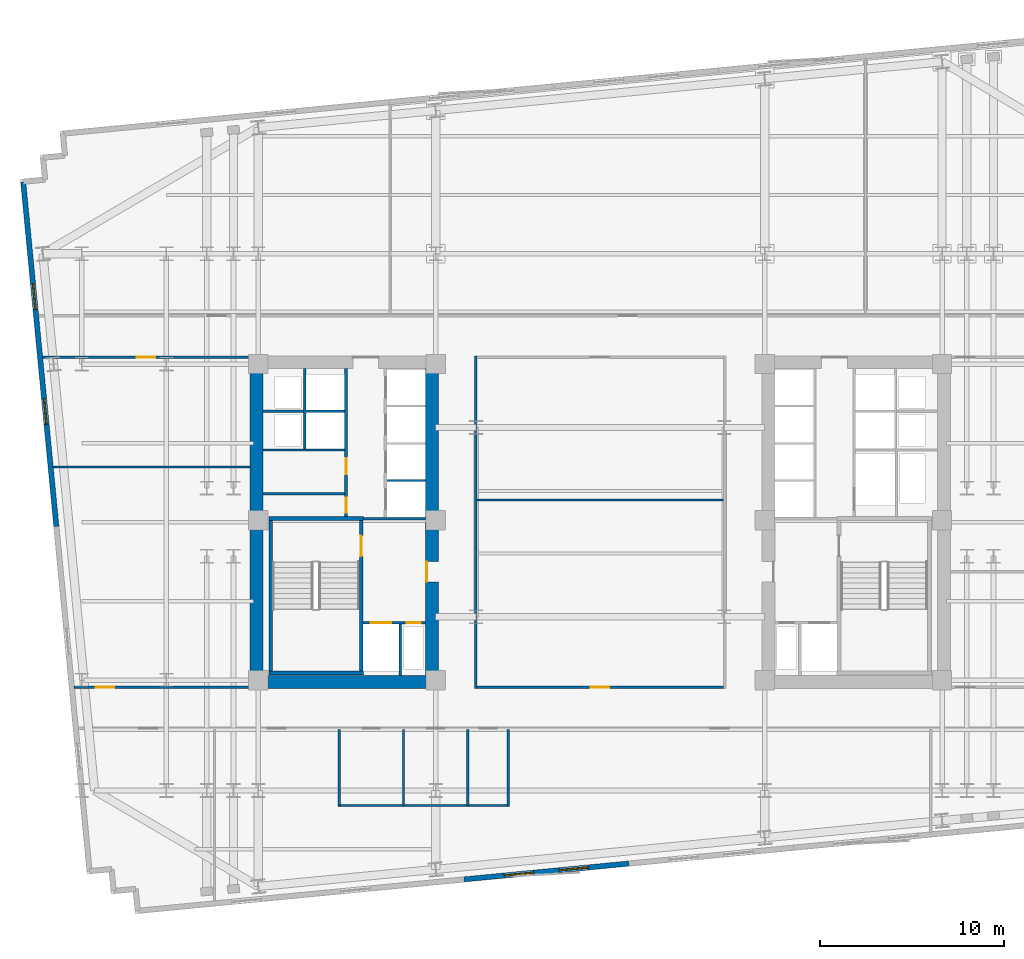
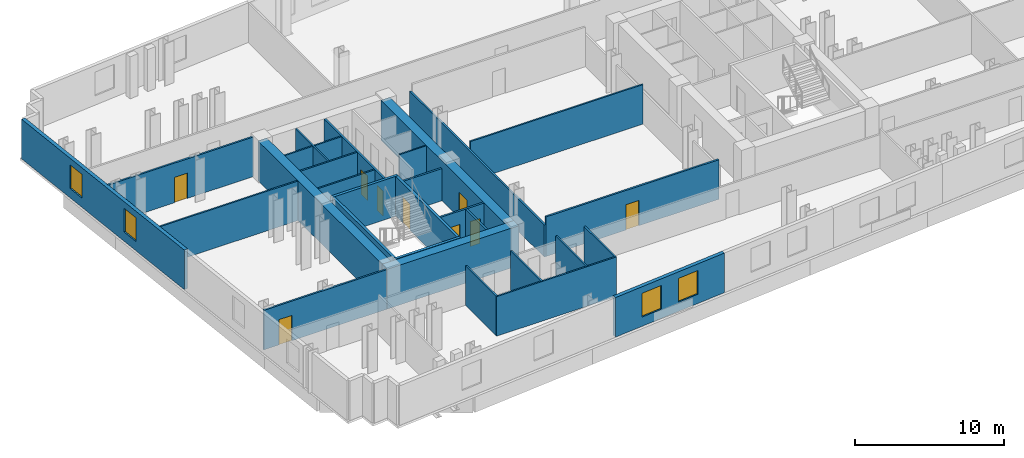
# One storey, part 4 of 10: 30 walls, 9 doors, 4 windows, 13 openings.
"""IFC4 building model written with IfcOpenShell, lengths in metres."""

from ifc_helpers import new_model, si_unit, direction, frame, frame_2d, origin, place, context, subcontext, project, spatial, rectangle, extrude, material, layer, layer_set, type_object, element, fill, save


model = new_model("IFC4")

# Units and contexts
model_context = context("Model", 3, precision=1e-05, world=origin(), true_north=direction((0.0, 1.0)))
body_context = subcontext(model_context, "Body", "Model", "MODEL_VIEW")
ifc_project = project(units=[si_unit("LENGTHUNIT", "METRE"), si_unit("AREAUNIT", "SQUARE_METRE"), si_unit("VOLUMEUNIT", "CUBIC_METRE"), si_unit("PLANEANGLEUNIT", "RADIAN"), si_unit("MASSUNIT", "GRAM", prefix="KILO")], contexts=[model_context])

# Site, building, storey
site_placement = place(None, origin())
site = spatial("IfcSite", under=ifc_project, at=site_placement, CompositionType="ELEMENT")
building_placement = place(site_placement, origin())
building = spatial("IfcBuilding", under=site, at=building_placement, Name="Velakula Bourse", CompositionType="ELEMENT")
storey_placement = place(building_placement, frame((0.0, 0.0, 74.199951171875)))
storey = spatial("IfcBuildingStorey", under=building, at=storey_placement, Name="L19", CompositionType="ELEMENT", Elevation=74.199951171875)

# Wall, opening, door
ifc_material_1 = material(Name="Concrete M50 (fck 50 MPa)", Category="concrete")
ifc_layer_1 = layer(ifc_material_1, 0.2099609375, Name="Concrete M50 (fck 50 MPa)", Category="concrete")
ifc_layer_set_1 = layer_set([ifc_layer_1], Name="Concrete M50 (fck 50 MPa)")
wall_type_1 = type_object("IfcWallType", Name="WL-CORE-210", PredefinedType="SHEAR", material=ifc_layer_set_1)
wall_1_placement = place(storey_placement, frame((-12.9951171875, -8.10009765625, 0.0), z_axis=(0.0, 0.0, 1.0), x_axis=(0.0, 1.0, 0.0)))
wall_1 = element("IfcWall", 1, at=wall_1_placement, inside=storey, type_object=wall_type_1, Name="L19 Core W Stairwell Shear Wall IN", PredefinedType="SHEAR", context=body_context, shape_type="SweptSolid", body=[
    extrude(rectangle(XDim=8.2001953125, YDim=0.2099609375, at=frame_2d((4.10009765625, 0.0))), origin(), (0.0, 0.0, 1.0), 3.27001953125),
])
opening_1_placement = place(wall_1_placement, frame((6.25, 0.0, 0.0)))
opening_1 = element("IfcOpeningElement", 2, at=opening_1_placement, cuts=wall_1, Name="Opening D-STW1", PredefinedType="OPENING", context=body_context, shape_type="SweptSolid", body=[
    extrude(rectangle(XDim=1.10009765625, YDim=2.14990234375, at=frame_2d((0.550048828125, 1.074951171875))), frame((0.0, 0.114990234375, 0.0), z_axis=(0.0, -1.0, 0.0), x_axis=(1.0, 0.0, 0.0)), (0.0, 0.0, 1.0), 0.22998046875),
])
ifc_material_2 = material(Name="Galvanised painted hollow steel fire door", Category="steel")
door_type_1 = type_object("IfcDoorType", Name="DR-FD120-1100x2150", OperationType="NOTDEFINED", PredefinedType="DOOR", material=ifc_material_2)
door_1_placement = place(opening_1_placement, origin())
door_1 = element("IfcDoor", 3, at=door_1_placement, inside=storey, type_object=door_type_1, Name="L19 Stair ST-W1 Fire Door", OperationType="SINGLE_SWING_LEFT", OverallHeight=2.14990234375, OverallWidth=1.10009765625, PredefinedType="DOOR", context=body_context, shape_type="SweptSolid", body=[
    extrude(rectangle(XDim=1.10009765625, YDim=2.14990234375, at=frame_2d((0.550048828125, 1.074951171875))), frame((0.0, 0.02490234375, 0.0), z_axis=(0.0, -1.0, 0.0), x_axis=(1.0, 0.0, 0.0)), (0.0, 0.0, 1.0), 0.050048828125),
])
fill(opening_1, door_1)

# Walls
wall_2_placement = place(storey_placement, frame((-17.925048828125, -8.10009765625, 0.0), z_axis=(0.0, 0.0, 1.0), x_axis=(0.0, 1.0, 0.0)))
element("IfcWall", 4, at=wall_2_placement, inside=storey, type_object=wall_type_1, Name="L19 Core W Stairwell Shear Wall OUT", PredefinedType="SHEAR", context=body_context, shape_type="SweptSolid", body=[
    extrude(rectangle(XDim=8.2001953125, YDim=0.2099609375, at=frame_2d((4.10009765625, 0.0))), origin(), (0.0, 0.0, 1.0), 3.27001953125),
])
for number, where, z_axis, x_axis, name in (
    (5, (-18.030029296875, -8.205078125, 0.0), (0.0, 0.0, 1.0), (1.0, 0.0, 0.0), "L19 Core W Stairwell Shear Wall S"),
    (6, (-12.889892578125, 0.205078125, 0.0), (0.0, 0.0, 1.0), (-1.0, 0.0, 0.0), "L19 Core W Stairwell Shear Wall N"),
):
    element("IfcWall", number, at=place(storey_placement, frame(where, z_axis=z_axis, x_axis=x_axis)), inside=storey, type_object=wall_type_1, Name=name, PredefinedType="SHEAR", context=body_context, shape_type="SweptSolid", body=[
        extrude(rectangle(XDim=5.14013671875, YDim=0.2099609375, at=frame_2d((2.570068359375, 0.0))), origin(), (0.0, 0.0, 1.0), 3.27001953125),
    ])
ifc_material_3 = material(Name="Concrete M70 (fck 70 MPa)", Category="concrete")
ifc_layer_2 = layer(ifc_material_3, 0.699951171875, Name="Concrete M70 (fck 70 MPa)", Category="concrete")
ifc_layer_set_2 = layer_set([ifc_layer_2], Name="Concrete M70 (fck 70 MPa)")
wall_type_2 = type_object("IfcWallType", Name="WL-CORE-700", PredefinedType="SHEAR", material=ifc_layer_set_2)
wall_3_placement = place(storey_placement, frame((-19.050048828125, -8.699951171875, 0.0), z_axis=(0.0, 0.0, 1.0), x_axis=(1.0, 0.0, 0.0)))
element("IfcWall", 7, at=wall_3_placement, inside=storey, type_object=wall_type_2, Name="L19 Core W Shear Wall S", PredefinedType="SHEAR", context=body_context, shape_type="SweptSolid", body=[
    extrude(rectangle(XDim=10.25, YDim=0.699951171875, at=frame_2d((5.125, 0.0))), origin(), (0.0, 0.0, 1.0), 3.27001953125),
])
wall_4_placement = place(storey_placement, frame((-18.699951171875, -8.35009765625, 0.0), z_axis=(0.0, 0.0, 1.0), x_axis=(0.0, 1.0, 0.0)))
element("IfcWall", 8, at=wall_4_placement, inside=storey, type_object=wall_type_2, Name="L19 Core W Shear Wall W", PredefinedType="SHEAR", context=body_context, shape_type="SweptSolid", body=[
    extrude(rectangle(XDim=16.7001953125, YDim=0.699951171875, at=frame_2d((8.35009765625, 0.0))), origin(), (0.0, 0.0, 1.0), 3.27001953125),
])

# Wall, opening, door
wall_5_placement = place(storey_placement, frame((-9.14990234375, -8.35009765625, 0.0), z_axis=(0.0, 0.0, 1.0), x_axis=(0.0, 1.0, 0.0)))
wall_5 = element("IfcWall", 9, at=wall_5_placement, inside=storey, type_object=wall_type_2, Name="L19 Core W Shear Wall E", PredefinedType="SHEAR", context=body_context, shape_type="SweptSolid", body=[
    extrude(rectangle(XDim=16.7001953125, YDim=0.699951171875, at=frame_2d((8.35009765625, 0.0))), origin(), (0.0, 0.0, 1.0), 3.27001953125),
])
opening_2_placement = place(wall_5_placement, frame((5.10009765625, 0.0, 0.0)))
opening_2 = element("IfcOpeningElement", 10, at=opening_2_placement, cuts=wall_5, Name="Opening D-FLW", PredefinedType="OPENING", context=body_context, shape_type="SweptSolid", body=[
    extrude(rectangle(XDim=1.10009765625, YDim=2.080078125, at=frame_2d((0.550048828125, 1.0400390625))), frame((0.0, 0.35986328125, 0.0), z_axis=(0.0, -1.0, 0.0), x_axis=(1.0, 0.0, 0.0)), (0.0, 0.0, 1.0), 0.719970703125),
])
door_type_2 = type_object("IfcDoorType", Name="DR-FD120-1100", OperationType="NOTDEFINED", PredefinedType="DOOR", material=ifc_material_2)
door_2_placement = place(opening_2_placement, origin())
door_2 = element("IfcDoor", 11, at=door_2_placement, inside=storey, type_object=door_type_2, Name="L19 Firefighting Lobby W Corridor Fire Door", OperationType="SINGLE_SWING_LEFT", OverallHeight=2.080078125, OverallWidth=1.10009765625, PredefinedType="DOOR", context=body_context, shape_type="SweptSolid", body=[
    extrude(rectangle(XDim=1.10009765625, YDim=2.080078125, at=frame_2d((0.550048828125, 1.0400390625))), frame((0.0, 0.30517578125, 0.0), z_axis=(0.0, -1.0, 0.0), x_axis=(1.0, 0.0, 0.0)), (0.0, 0.0, 1.0), 0.050048828125),
])
fill(opening_2, door_2)

# Wall, openings, windows
ifc_material_4 = material(Name="Red kilned clay facing brick masonry", Category="masonry")
ifc_layer_3 = layer(ifc_material_4, 0.280029296875, Name="Red kilned clay facing brick masonry", Category="masonry")
ifc_layer_set_3 = layer_set([ifc_layer_3], Name="Red kilned clay facing brick masonry")
wall_type_3 = type_object("IfcWallType", Name="WL-EXT-BRK-280", PredefinedType="STANDARD", material=ifc_layer_set_3)
wall_6_placement = place(storey_placement, frame((1.556396484375, -18.573486328125, 0.0), z_axis=(0.0, 0.0, 1.0), x_axis=(-0.995396794462, -0.09583956164, 0.0)))
wall_6 = element("IfcWall", 12, at=wall_6_placement, inside=storey, type_object=wall_type_3, Name="L19 S Brick Spandrel Wall B2", PredefinedType="STANDARD", context=body_context, shape_type="SweptSolid", body=[
    extrude(rectangle(XDim=9.0, YDim=0.280029296875, at=frame_2d((4.5, 0.0))), origin(), (0.0, 0.0, 1.0), 3.25),
])
opening_3_placement = place(wall_6_placement, frame((2.199951171875, 0.0, 0.760009765625)))
opening_3 = element("IfcOpeningElement", 13, at=opening_3_placement, cuts=wall_6, Name="Opening W-02", PredefinedType="OPENING", context=body_context, shape_type="SweptSolid", body=[
    extrude(rectangle(XDim=1.60009765625, YDim=1.949951171875, at=frame_2d((0.800048828125, 0.97509765625))), frame((0.0, 0.14990234375, 0.0), z_axis=(0.0, -1.0, 0.0), x_axis=(1.0, 0.0, 0.0)), (0.0, 0.0, 1.0), 0.300048828125),
])
opening_4_placement = place(wall_6_placement, frame((5.199951171875, 0.0, 0.760009765625)))
opening_4 = element("IfcOpeningElement", 14, at=opening_4_placement, cuts=wall_6, Name="Opening W-02", PredefinedType="OPENING", context=body_context, shape_type="SweptSolid", body=[
    extrude(rectangle(XDim=1.60009765625, YDim=1.949951171875, at=frame_2d((0.800048828125, 0.97509765625))), frame((0.0, 0.14990234375, 0.0), z_axis=(0.0, -1.0, 0.0), x_axis=(1.0, 0.0, 0.0)), (0.0, 0.0, 1.0), 0.300048828125),
])
ifc_material_5 = material(Name="Double-glazed solar-control Low-E glass", Category="glass")
window_type_1 = type_object("IfcWindowType", Name="WIN-TWR-1600x2100", PartitioningType="SINGLE_PANEL", PredefinedType="WINDOW", material=ifc_material_5)
window_1_placement = place(opening_3_placement, origin())
window_1 = element("IfcWindow", 15, at=window_1_placement, inside=storey, type_object=window_type_1, Name="L19 Deep-Set Recessed Window 1", OverallHeight=1.949951171875, OverallWidth=1.60009765625, PartitioningType="SINGLE_PANEL", PredefinedType="WINDOW", context=body_context, shape_type="SweptSolid", body=[
    extrude(rectangle(XDim=1.60009765625, YDim=1.949951171875, at=frame_2d((0.800048828125, 0.97509765625))), frame((0.0, 0.030029296875, 0.0), z_axis=(0.0, -1.0, 0.0), x_axis=(1.0, 0.0, 0.0)), (0.0, 0.0, 1.0), 0.06005859375),
])
fill(opening_3, window_1)
window_2_placement = place(opening_4_placement, origin())
window_2 = element("IfcWindow", 16, at=window_2_placement, inside=storey, type_object=window_type_1, Name="L19 Deep-Set Recessed Window 2", OverallHeight=1.949951171875, OverallWidth=1.60009765625, PartitioningType="SINGLE_PANEL", PredefinedType="WINDOW", context=body_context, shape_type="SweptSolid", body=[
    extrude(rectangle(XDim=1.60009765625, YDim=1.949951171875, at=frame_2d((0.800048828125, 0.97509765625))), frame((0.0, 0.030029296875, 0.0), z_axis=(0.0, -1.0, 0.0), x_axis=(1.0, 0.0, 0.0)), (0.0, 0.0, 1.0), 0.06005859375),
])
fill(opening_4, window_2)

wall_7_placement = place(storey_placement, frame((-29.584716796875, -0.23388671875, 0.0), z_axis=(0.0, 0.0, 1.0), x_axis=(-0.095841297881, 0.99539662729, 0.0)))
wall_7 = element("IfcWall", 17, at=wall_7_placement, inside=storey, type_object=wall_type_3, Name="L19 W Brick End Wall W2", PredefinedType="STANDARD", context=body_context, shape_type="SweptSolid", body=[
    extrude(rectangle(XDim=18.840087890625, YDim=0.280029296875, at=frame_2d((9.419921875, 0.0))), origin(), (0.0, 0.0, 1.0), 3.25),
])
opening_5_placement = place(wall_7_placement, frame((5.580078125, 0.0, 0.760009765625)))
opening_5 = element("IfcOpeningElement", 18, at=opening_5_placement, cuts=wall_7, Name="Opening W-03", PredefinedType="OPENING", context=body_context, shape_type="SweptSolid", body=[
    extrude(rectangle(XDim=1.39990234375, YDim=1.949951171875, at=frame_2d((0.699951171875, 0.97509765625))), frame((0.0, 0.14990234375, 0.0), z_axis=(0.0, -1.0, 0.0), x_axis=(1.0, 0.0, 0.0)), (0.0, 0.0, 1.0), 0.300048828125),
])
opening_6_placement = place(wall_7_placement, frame((11.860107421875, 0.0, 0.760009765625)))
opening_6 = element("IfcOpeningElement", 19, at=opening_6_placement, cuts=wall_7, Name="Opening W-03", PredefinedType="OPENING", context=body_context, shape_type="SweptSolid", body=[
    extrude(rectangle(XDim=1.39990234375, YDim=1.949951171875, at=frame_2d((0.699951171875, 0.97509765625))), frame((0.0, 0.14990234375, 0.0), z_axis=(0.0, -1.0, 0.0), x_axis=(1.0, 0.0, 0.0)), (0.0, 0.0, 1.0), 0.300048828125),
])
window_type_2 = type_object("IfcWindowType", Name="WIN-TWR-1400x2100", PartitioningType="SINGLE_PANEL", PredefinedType="WINDOW", material=ifc_material_5)
window_3_placement = place(opening_5_placement, origin())
window_3 = element("IfcWindow", 20, at=window_3_placement, inside=storey, type_object=window_type_2, Name="L19 Deep-Set Recessed Window 1", OverallHeight=1.949951171875, OverallWidth=1.39990234375, PartitioningType="SINGLE_PANEL", PredefinedType="WINDOW", context=body_context, shape_type="SweptSolid", body=[
    extrude(rectangle(XDim=1.39990234375, YDim=1.949951171875, at=frame_2d((0.699951171875, 0.97509765625))), frame((0.0, 0.030029296875, 0.0), z_axis=(0.0, -1.0, 0.0), x_axis=(1.0, 0.0, 0.0)), (0.0, 0.0, 1.0), 0.06005859375),
])
fill(opening_5, window_3)
window_4_placement = place(opening_6_placement, origin())
window_4 = element("IfcWindow", 21, at=window_4_placement, inside=storey, type_object=window_type_2, Name="L19 Deep-Set Recessed Window 2", OverallHeight=1.949951171875, OverallWidth=1.39990234375, PartitioningType="SINGLE_PANEL", PredefinedType="WINDOW", context=body_context, shape_type="SweptSolid", body=[
    extrude(rectangle(XDim=1.39990234375, YDim=1.949951171875, at=frame_2d((0.699951171875, 0.97509765625))), frame((0.0, 0.030029296875, 0.0), z_axis=(0.0, -1.0, 0.0), x_axis=(1.0, 0.0, 0.0)), (0.0, 0.0, 1.0), 0.06005859375),
])
fill(opening_6, window_4)

# Walls
ifc_material_6 = material(Name="Fire-rated double-layer gypsum drywall partition", Category="gypsum")
ifc_layer_4 = layer(ifc_material_6, 0.1201171875, Name="Fire-rated double-layer gypsum drywall partition", Category="gypsum")
ifc_layer_set_4 = layer_set([ifc_layer_4], Name="Fire-rated double-layer gypsum drywall partition")
wall_type_4 = type_object("IfcWallType", Name="WL-PART-120", PredefinedType="STANDARD", material=ifc_layer_set_4)
wall_8_placement = place(storey_placement, frame((-11.60009765625, 2.2548828125, 0.0), z_axis=(0.0, 0.0, 1.0), x_axis=(1.0, 0.0, 0.0)))
element("IfcWall", 22, at=wall_8_placement, inside=storey, type_object=wall_type_4, Name="L19 Interior Partition WL-CRW-L19-BDIV-0", PredefinedType="STANDARD", context=body_context, shape_type="SweptSolid", body=[
    extrude(rectangle(XDim=2.10009765625, YDim=0.110107421875, at=frame_2d((1.050048828125, 0.0))), origin(), (0.0, 0.0, 1.0), 3.25),
])
wall_9_placement = place(storey_placement, frame((-18.35009765625, 3.919921875, 0.0), z_axis=(0.0, 0.0, 1.0), x_axis=(1.0, 0.0, 0.0)))
element("IfcWall", 23, at=wall_9_placement, inside=storey, type_object=wall_type_4, Name="L19 Interior Partition WL-CRW-L19-HI-S", PredefinedType="STANDARD", context=body_context, shape_type="SweptSolid", body=[
    extrude(rectangle(XDim=4.4501953125, YDim=0.1201171875, at=frame_2d((2.22509765625, 0.0))), origin(), (0.0, 0.0, 1.0), 3.25),
])
wall_10_placement = place(storey_placement, frame((-18.35009765625, 6.030029296875, 0.0), z_axis=(0.0, 0.0, 1.0), x_axis=(1.0, 0.0, 0.0)))
element("IfcWall", 24, at=wall_10_placement, inside=storey, type_object=wall_type_4, Name="L19 Interior Partition WL-CRW-L19-RIS-MID", PredefinedType="STANDARD", context=body_context, shape_type="SweptSolid", body=[
    extrude(rectangle(XDim=2.2001953125, YDim=0.1201171875, at=frame_2d((1.10009765625, 0.0))), origin(), (0.0, 0.0, 1.0), 3.25),
])
wall_11_placement = place(storey_placement, frame((-16.074951171875, 3.97998046875, 0.0), z_axis=(0.0, 0.0, 1.0), x_axis=(0.0, 1.0, 0.0)))
element("IfcWall", 25, at=wall_11_placement, inside=storey, type_object=wall_type_4, Name="L19 Interior Partition WL-CRW-L19-RIS-F", PredefinedType="STANDARD", context=body_context, shape_type="SweptSolid", body=[
    extrude(rectangle(XDim=4.3701171875, YDim=0.1201171875, at=frame_2d((2.18505859375, 0.0))), origin(), (0.0, 0.0, 1.0), 3.25),
])
wall_12_placement = place(storey_placement, frame((-16.0, 6.030029296875, 0.0), z_axis=(0.0, 0.0, 1.0), x_axis=(1.0, 0.0, 0.0)))
element("IfcWall", 26, at=wall_12_placement, inside=storey, type_object=wall_type_4, Name="L19 Interior Partition WL-CRW-L19-HI-DIV", PredefinedType="STANDARD", context=body_context, shape_type="SweptSolid", body=[
    extrude(rectangle(XDim=2.10009765625, YDim=0.1201171875, at=frame_2d((1.050048828125, 0.0))), origin(), (0.0, 0.0, 1.0), 3.25),
])
wall_13_placement = place(storey_placement, frame((-18.35009765625, 1.550048828125, 0.0), z_axis=(0.0, 0.0, 1.0), x_axis=(1.0, 0.0, 0.0)))
element("IfcWall", 27, at=wall_13_placement, inside=storey, type_object=wall_type_4, Name="L19 Interior Partition WL-CRW-L19-K1", PredefinedType="STANDARD", context=body_context, shape_type="SweptSolid", body=[
    extrude(rectangle(XDim=4.4501953125, YDim=0.1201171875, at=frame_2d((2.22509765625, 0.0))), origin(), (0.0, 0.0, 1.0), 3.25),
])
wall_14_placement = place(storey_placement, frame((-14.260009765625, -15.419921875, 0.0), z_axis=(0.0, 0.0, 1.0), x_axis=(1.0, 0.0, 0.0)))
element("IfcWall", 28, at=wall_14_placement, inside=storey, type_object=wall_type_4, Name="L19 Interior Partition WL-WC-L19-BACK", PredefinedType="STANDARD", context=body_context, shape_type="SweptSolid", body=[
    extrude(rectangle(XDim=9.320068359375, YDim=0.1201171875, at=frame_2d((4.66015625, 0.0))), origin(), (0.0, 0.0, 1.0), 3.25),
])
for number, where, z_axis, x_axis, name in (
    (29, (-14.199951171875, -15.419921875, 0.0), (0.0, 0.0, 1.0), (0.0, 1.0, 0.0), "L19 Interior Partition WL-WC-L19-V1"),
    (30, (-10.699951171875, -15.419921875, 0.0), (0.0, 0.0, 1.0), (0.0, 1.0, 0.0), "L19 Interior Partition WL-WC-L19-V2"),
    (31, (-7.199951171875, -15.419921875, 0.0), (0.0, 0.0, 1.0), (0.0, 1.0, 0.0), "L19 Interior Partition WL-WC-L19-V3"),
    (32, (-5.0, -15.419921875, 0.0), (0.0, 0.0, 1.0), (0.0, 1.0, 0.0), "L19 Interior Partition WL-WC-L19-V4"),
):
    element("IfcWall", number, at=place(storey_placement, frame(where, z_axis=z_axis, x_axis=x_axis)), inside=storey, type_object=wall_type_4, Name=name, PredefinedType="STANDARD", context=body_context, shape_type="SweptSolid", body=[
        extrude(rectangle(XDim=4.1298828125, YDim=0.1201171875, at=frame_2d((2.06494140625, 0.0))), origin(), (0.0, 0.0, 1.0), 3.25),
    ])
wall_15_placement = place(storey_placement, frame((-29.775390625, 3.0, 0.0), z_axis=(0.0, 0.0, 1.0), x_axis=(1.0, 0.0, 0.0)))
element("IfcWall", 33, at=wall_15_placement, inside=storey, type_object=wall_type_4, Name="L19 Interior Partition WL-INT-L19-W-H", PredefinedType="STANDARD", context=body_context, shape_type="SweptSolid", body=[
    extrude(rectangle(XDim=10.725341796875, YDim=0.1201171875, at=frame_2d((5.36279296875, 0.0))), origin(), (0.0, 0.0, 1.0), 3.25),
])

# Wall, opening, door
ifc_layer_5 = layer(ifc_material_6, 0.139892578125, Name="Fire-rated double-layer gypsum drywall partition", Category="gypsum")
ifc_layer_set_5 = layer_set([ifc_layer_5], Name="Fire-rated double-layer gypsum drywall partition")
wall_type_5 = type_object("IfcWallType", Name="WL-PART-140", PredefinedType="STANDARD", material=ifc_layer_set_5)
wall_16_placement = place(storey_placement, frame((-30.351318359375, 8.97998046875, 0.0), z_axis=(0.0, 0.0, 1.0), x_axis=(1.0, 0.0, 0.0)))
wall_16 = element("IfcWall", 34, at=wall_16_placement, inside=storey, type_object=wall_type_5, Name="L19 Interior Partition WL-INT-L19-W-NC", PredefinedType="STANDARD", context=body_context, shape_type="SweptSolid", body=[
    extrude(rectangle(XDim=11.30126953125, YDim=0.139892578125, at=frame_2d((5.650634765625, 0.0))), origin(), (0.0, 0.0, 1.0), 3.25),
])
opening_7_placement = place(wall_16_placement, frame((5.150634765625, 0.0, 0.0)))
opening_7 = element("IfcOpeningElement", 35, at=opening_7_placement, cuts=wall_16, Name="Opening D-OF1", PredefinedType="OPENING", context=body_context, shape_type="SweptSolid", body=[
    extrude(rectangle(XDim=1.0, YDim=2.080078125, at=frame_2d((0.5, 1.0400390625))), frame((0.0, 0.079833984375, 0.0), z_axis=(0.0, -1.0, 0.0), x_axis=(1.0, 0.0, 0.0)), (0.0, 0.0, 1.0), 0.159912109375),
])
ifc_material_7 = material(Name="Fire-rated hardwood flush architectural door", Category="wood")
door_type_3 = type_object("IfcDoorType", Name="DR-OFF-1000", OperationType="NOTDEFINED", PredefinedType="DOOR", material=ifc_material_7)
door_3_placement = place(opening_7_placement, origin())
door_3 = element("IfcDoor", 36, at=door_3_placement, inside=storey, type_object=door_type_3, Name="L19 Broadcast Control Office Door", OperationType="SINGLE_SWING_LEFT", OverallHeight=2.080078125, OverallWidth=1.0, PredefinedType="DOOR", context=body_context, shape_type="SweptSolid", body=[
    extrude(rectangle(XDim=1.0, YDim=2.080078125, at=frame_2d((0.5, 1.0400390625))), frame((0.0, 0.02490234375, 0.0), z_axis=(0.0, -1.0, 0.0), x_axis=(1.0, 0.0, 0.0)), (0.0, 0.0, 1.0), 0.050048828125),
])
fill(opening_7, door_3)

wall_17_placement = place(storey_placement, frame((-28.6220703125, -8.97998046875, 0.0), z_axis=(0.0, 0.0, 1.0), x_axis=(1.0, 0.0, 0.0)))
wall_17 = element("IfcWall", 37, at=wall_17_placement, inside=storey, type_object=wall_type_5, Name="L19 Interior Partition WL-INT-L19-W-SC", PredefinedType="STANDARD", context=body_context, shape_type="SweptSolid", body=[
    extrude(rectangle(XDim=9.572021484375, YDim=0.139892578125, at=frame_2d((4.7861328125, 0.0))), origin(), (0.0, 0.0, 1.0), 3.25),
])
opening_8_placement = place(wall_17_placement, frame((1.177490234375, 0.0, 0.0)))
opening_8 = element("IfcOpeningElement", 38, at=opening_8_placement, cuts=wall_17, Name="Opening D-OF1", PredefinedType="OPENING", context=body_context, shape_type="SweptSolid", body=[
    extrude(rectangle(XDim=1.0, YDim=2.080078125, at=frame_2d((0.5, 1.0400390625))), frame((0.0, 0.079833984375, 0.0), z_axis=(0.0, -1.0, 0.0), x_axis=(1.0, 0.0, 0.0)), (0.0, 0.0, 1.0), 0.159912109375),
])
door_4_placement = place(opening_8_placement, origin())
door_4 = element("IfcDoor", 39, at=door_4_placement, inside=storey, type_object=door_type_3, Name="L19 Sovereign Wealth Desk Workspace Door", OperationType="SINGLE_SWING_RIGHT", OverallHeight=2.080078125, OverallWidth=1.0, PredefinedType="DOOR", context=body_context, shape_type="SweptSolid", body=[
    extrude(rectangle(XDim=1.0, YDim=2.080078125, at=frame_2d((0.5, 1.0400390625))), frame((0.0, 0.02490234375, 0.0), z_axis=(0.0, -1.0, 0.0), x_axis=(1.0, 0.0, 0.0)), (0.0, 0.0, 1.0), 0.050048828125),
])
fill(opening_8, door_4)

# Wall
wall_18_placement = place(storey_placement, frame((-6.780029296875, -9.050048828125, 0.0), z_axis=(0.0, 0.0, 1.0), x_axis=(0.0, 1.0, 0.0)))
element("IfcWall", 40, at=wall_18_placement, inside=storey, type_object=wall_type_5, Name="L19 Interior Partition WL-INT-L19-MID-W", PredefinedType="STANDARD", context=body_context, shape_type="SweptSolid", body=[
    extrude(rectangle(XDim=18.10009765625, YDim=0.139892578125, at=frame_2d((9.050048828125, 0.0))), origin(), (0.0, 0.0, 1.0), 2.64501953125),
])

# Wall, opening, door
wall_19_placement = place(storey_placement, frame((-6.7099609375, -8.97998046875, 0.0), z_axis=(0.0, 0.0, 1.0), x_axis=(1.0, 0.0, 0.0)))
wall_19 = element("IfcWall", 41, at=wall_19_placement, inside=storey, type_object=wall_type_5, Name="L19 Interior Partition WL-INT-L19-MID-S", PredefinedType="STANDARD", context=body_context, shape_type="SweptSolid", body=[
    extrude(rectangle(XDim=13.419921875, YDim=0.139892578125, at=frame_2d((6.7099609375, 0.0))), origin(), (0.0, 0.0, 1.0), 3.25),
])
opening_9_placement = place(wall_19_placement, frame((6.2099609375, 0.0, 0.0)))
opening_9 = element("IfcOpeningElement", 42, at=opening_9_placement, cuts=wall_19, Name="Opening D-OF1", PredefinedType="OPENING", context=body_context, shape_type="SweptSolid", body=[
    extrude(rectangle(XDim=1.0, YDim=2.080078125, at=frame_2d((0.5, 1.0400390625))), frame((0.0, 0.079833984375, 0.0), z_axis=(0.0, -1.0, 0.0), x_axis=(1.0, 0.0, 0.0)), (0.0, 0.0, 1.0), 0.159912109375),
])
door_5_placement = place(opening_9_placement, origin())
door_5 = element("IfcDoor", 43, at=door_5_placement, inside=storey, type_object=door_type_3, Name="L19 Central Dealing Chamber South Door", OperationType="SINGLE_SWING_LEFT", OverallHeight=2.080078125, OverallWidth=1.0, PredefinedType="DOOR", context=body_context, shape_type="SweptSolid", body=[
    extrude(rectangle(XDim=1.0, YDim=2.080078125, at=frame_2d((0.5, 1.0400390625))), frame((0.0, 0.02490234375, 0.0), z_axis=(0.0, -1.0, 0.0), x_axis=(1.0, 0.0, 0.0)), (0.0, 0.0, 1.0), 0.050048828125),
])
fill(opening_9, door_5)

# Wall
wall_20_placement = place(storey_placement, frame((-6.7099609375, 1.199951171875, 0.0), z_axis=(0.0, 0.0, 1.0), x_axis=(1.0, 0.0, 0.0)))
element("IfcWall", 44, at=wall_20_placement, inside=storey, type_object=wall_type_5, Name="L19 Interior Partition WL-INT-L19-MDY", PredefinedType="STANDARD", context=body_context, shape_type="SweptSolid", body=[
    extrude(rectangle(XDim=13.419921875, YDim=0.1201171875, at=frame_2d((6.7099609375, 0.0))), origin(), (0.0, 0.0, 1.0), 3.25),
])

# Wall, openings, doors
ifc_material_8 = material(Name="Autoclaved aerated concrete blockwork masonry", Category="masonry")
ifc_layer_6 = layer(ifc_material_8, 0.14990234375, Name="Autoclaved aerated concrete blockwork masonry", Category="masonry")
ifc_layer_set_6 = layer_set([ifc_layer_6], Name="Autoclaved aerated concrete blockwork masonry")
wall_type_6 = type_object("IfcWallType", Name="WL-SHAFT-150", PredefinedType="STANDARD", material=ifc_layer_set_6)
wall_21_placement = place(storey_placement, frame((-12.89501953125, -5.47509765625, 0.0), z_axis=(0.0, 0.0, 1.0), x_axis=(1.0, 0.0, 0.0)))
wall_21 = element("IfcWall", 45, at=wall_21_placement, inside=storey, type_object=wall_type_6, Name="L19 Interior Partition WL-CRW-L19-FFL-N", PredefinedType="STANDARD", context=body_context, shape_type="SweptSolid", body=[
    extrude(rectangle(XDim=3.39501953125, YDim=0.14990234375, at=frame_2d((1.697509765625, 0.0))), origin(), (0.0, 0.0, 1.0), 3.25),
])
opening_10_placement = place(wall_21_placement, frame((0.419921875, 0.0, 0.0)))
opening_10 = element("IfcOpeningElement", 46, at=opening_10_placement, cuts=wall_21, Name="Opening LD-FFL-1", PredefinedType="OPENING", context=body_context, shape_type="SweptSolid", body=[
    extrude(rectangle(XDim=1.10009765625, YDim=2.14990234375, at=frame_2d((0.550048828125, 1.074951171875))), frame((0.0, 0.0849609375, 0.0), z_axis=(0.0, -1.0, 0.0), x_axis=(1.0, 0.0, 0.0)), (0.0, 0.0, 1.0), 0.169921875),
])
opening_11_placement = place(wall_21_placement, frame((2.3701171875, 0.0, 0.0)))
opening_11 = element("IfcOpeningElement", 47, at=opening_11_placement, cuts=wall_21, Name="Opening D-RS1", PredefinedType="OPENING", context=body_context, shape_type="SweptSolid", body=[
    extrude(rectangle(XDim=0.75, YDim=2.050048828125, at=frame_2d((0.375, 1.02490234375))), frame((0.0, 0.0849609375, 0.0), z_axis=(0.0, -1.0, 0.0), x_axis=(1.0, 0.0, 0.0)), (0.0, 0.0, 1.0), 0.169921875),
])
door_type_4 = type_object("IfcDoorType", Name="DR-RISER-800", OperationType="NOTDEFINED", PredefinedType="DOOR", material=ifc_material_2)
door_6_placement = place(opening_11_placement, origin())
door_6 = element("IfcDoor", 48, at=door_6_placement, inside=storey, type_object=door_type_4, Name="L19 Fire Riser Access Door", OperationType="SINGLE_SWING_LEFT", OverallHeight=2.050048828125, OverallWidth=0.75, PredefinedType="DOOR", context=body_context, shape_type="SweptSolid", body=[
    extrude(rectangle(XDim=0.75, YDim=2.050048828125, at=frame_2d((0.375, 1.02490234375))), frame((0.0, 0.02490234375, 0.0), z_axis=(0.0, -1.0, 0.0), x_axis=(1.0, 0.0, 0.0)), (0.0, 0.0, 1.0), 0.050048828125),
])
fill(opening_11, door_6)
ifc_material_9 = material(Name="Brushed grade 316 stainless steel", Category="steel")
door_type_5 = type_object("IfcDoorType", Name="DR-SLIDE-FFL-1100", OperationType="DOUBLE_DOOR_SLIDING", PredefinedType="DOOR", material=ifc_material_9)
door_7_placement = place(opening_10_placement, origin())
door_7 = element("IfcDoor", 49, at=door_7_placement, inside=storey, type_object=door_type_5, Name="L19 Firefighting Lift FFL-1 Sliding Landing Door", OperationType="DOUBLE_DOOR_SLIDING", OverallHeight=2.14990234375, OverallWidth=1.10009765625, PredefinedType="DOOR", context=body_context, shape_type="SweptSolid", body=[
    extrude(rectangle(XDim=1.10009765625, YDim=2.14990234375, at=frame_2d((0.550048828125, 1.074951171875))), frame((0.0, 0.02490234375, 0.0), z_axis=(0.0, -1.0, 0.0), x_axis=(1.0, 0.0, 0.0)), (0.0, 0.0, 1.0), 0.050048828125),
])
fill(opening_10, door_7)

# Walls
wall_22_placement = place(storey_placement, frame((-10.875, -8.35009765625, 0.0), z_axis=(0.0, 0.0, 1.0), x_axis=(0.0, 1.0, 0.0)))
element("IfcWall", 50, at=wall_22_placement, inside=storey, type_object=wall_type_6, Name="L19 Interior Partition WL-CRW-L19-FR-DIV", PredefinedType="STANDARD", context=body_context, shape_type="SweptSolid", body=[
    extrude(rectangle(XDim=2.800048828125, YDim=0.14990234375, at=frame_2d((1.39990234375, 0.0))), origin(), (0.0, 0.0, 1.0), 3.25),
])
wall_23_placement = place(storey_placement, frame((-12.889892578125, 0.18994140625, 0.0), z_axis=(0.0, 0.0, 1.0), x_axis=(1.0, 0.0, 0.0)))
element("IfcWall", 51, at=wall_23_placement, inside=storey, type_object=wall_type_6, Name="L19 Interior Partition WL-CRW-L19-FF-TOP", PredefinedType="STANDARD", context=body_context, shape_type="SweptSolid", body=[
    extrude(rectangle(XDim=3.389892578125, YDim=0.14990234375, at=frame_2d((1.69482421875, 0.0))), origin(), (0.0, 0.0, 1.0), 2.64501953125),
])

# Wall, openings, doors
wall_24_placement = place(storey_placement, frame((-13.824951171875, 0.27001953125, 0.0), z_axis=(0.0, 0.0, 1.0), x_axis=(0.0, 1.0, 0.0)))
wall_24 = element("IfcWall", 52, at=wall_24_placement, inside=storey, type_object=wall_type_6, Name="L19 Interior Partition WL-CRW-L19-OUT-F", PredefinedType="STANDARD", context=body_context, shape_type="SweptSolid", body=[
    extrude(rectangle(XDim=8.080078125, YDim=0.14990234375, at=frame_2d((4.0400390625, 0.0))), origin(), (0.0, 0.0, 1.0), 3.25),
])
opening_12_placement = place(wall_24_placement, frame((0.25, 0.0, 0.0)))
opening_12 = element("IfcOpeningElement", 53, at=opening_12_placement, cuts=wall_24, Name="Opening D-CS1", PredefinedType="OPENING", context=body_context, shape_type="SweptSolid", body=[
    extrude(rectangle(XDim=0.800048828125, YDim=2.050048828125, at=frame_2d((0.39990234375, 1.02490234375))), frame((0.0, 0.0849609375, 0.0), z_axis=(0.0, -1.0, 0.0), x_axis=(1.0, 0.0, 0.0)), (0.0, 0.0, 1.0), 0.169921875),
])
opening_13_placement = place(wall_24_placement, frame((2.35009765625, 0.0, 0.0)))
opening_13 = element("IfcOpeningElement", 54, at=opening_13_placement, cuts=wall_24, Name="Opening D-CW1", PredefinedType="OPENING", context=body_context, shape_type="SweptSolid", body=[
    extrude(rectangle(XDim=0.85009765625, YDim=2.050048828125, at=frame_2d((0.425048828125, 1.02490234375))), frame((0.0, 0.0849609375, 0.0), z_axis=(0.0, -1.0, 0.0), x_axis=(1.0, 0.0, 0.0)), (0.0, 0.0, 1.0), 0.169921875),
])
door_type_6 = type_object("IfcDoorType", Name="DR-INT-850", OperationType="NOTDEFINED", PredefinedType="DOOR", material=ifc_material_7)
door_8_placement = place(opening_13_placement, origin())
door_8 = element("IfcDoor", 55, at=door_8_placement, inside=storey, type_object=door_type_6, Name="L19 Core Janitor Closet Door", OperationType="SINGLE_SWING_RIGHT", OverallHeight=2.050048828125, OverallWidth=0.85009765625, PredefinedType="DOOR", context=body_context, shape_type="SweptSolid", body=[
    extrude(rectangle(XDim=0.85009765625, YDim=2.050048828125, at=frame_2d((0.425048828125, 1.02490234375))), frame((0.0, 0.02490234375, 0.0), z_axis=(0.0, -1.0, 0.0), x_axis=(1.0, 0.0, 0.0)), (0.0, 0.0, 1.0), 0.050048828125),
])
fill(opening_13, door_8)
door_type_7 = type_object("IfcDoorType", Name="DR-RISER-800x2050", OperationType="NOTDEFINED", PredefinedType="DOOR", material=ifc_material_2)
door_9_placement = place(opening_12_placement, origin())
door_9 = element("IfcDoor", 56, at=door_9_placement, inside=storey, type_object=door_type_7, Name="L19 Core Cleaner Store Door", OperationType="SINGLE_SWING_LEFT", OverallHeight=2.050048828125, OverallWidth=0.800048828125, PredefinedType="DOOR", context=body_context, shape_type="SweptSolid", body=[
    extrude(rectangle(XDim=0.800048828125, YDim=2.050048828125, at=frame_2d((0.39990234375, 1.02490234375))), frame((0.0, 0.02490234375, 0.0), z_axis=(0.0, -1.0, 0.0), x_axis=(1.0, 0.0, 0.0)), (0.0, 0.0, 1.0), 0.050048828125),
])
fill(opening_12, door_9)

save(model, "model.ifc")
